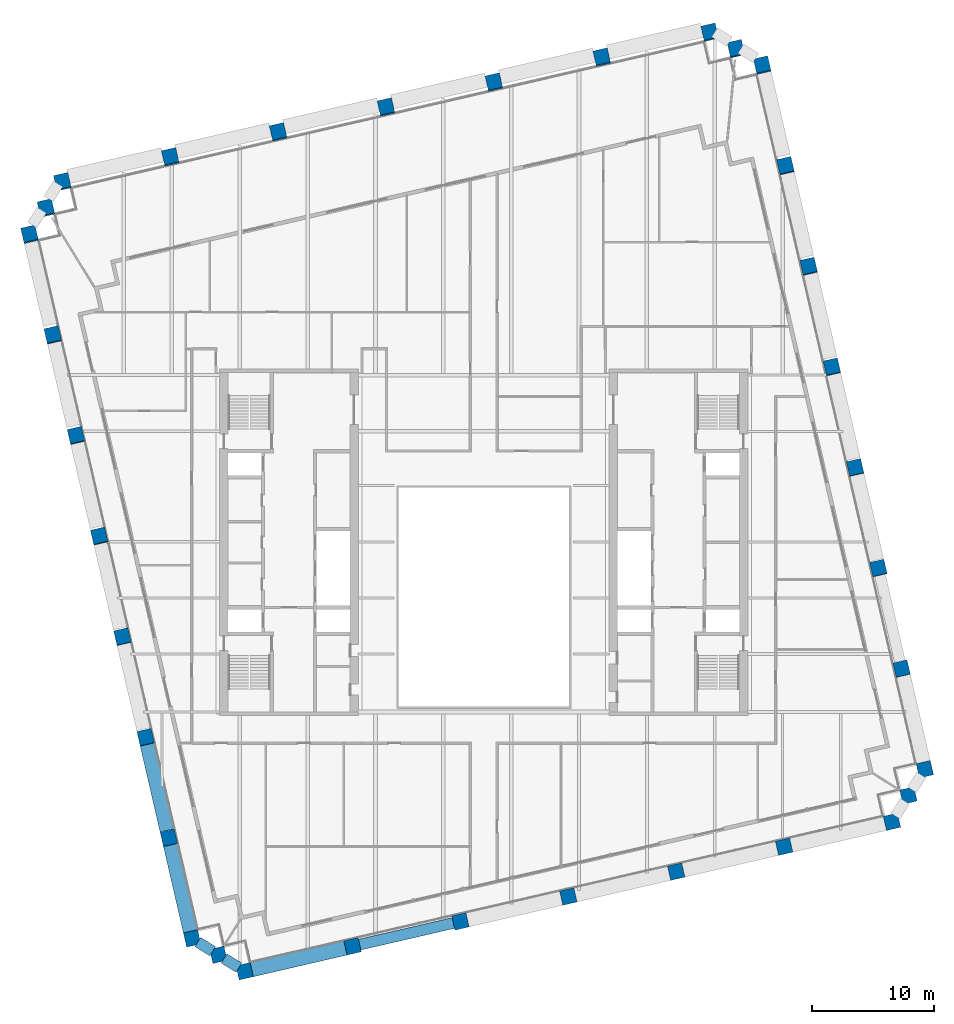
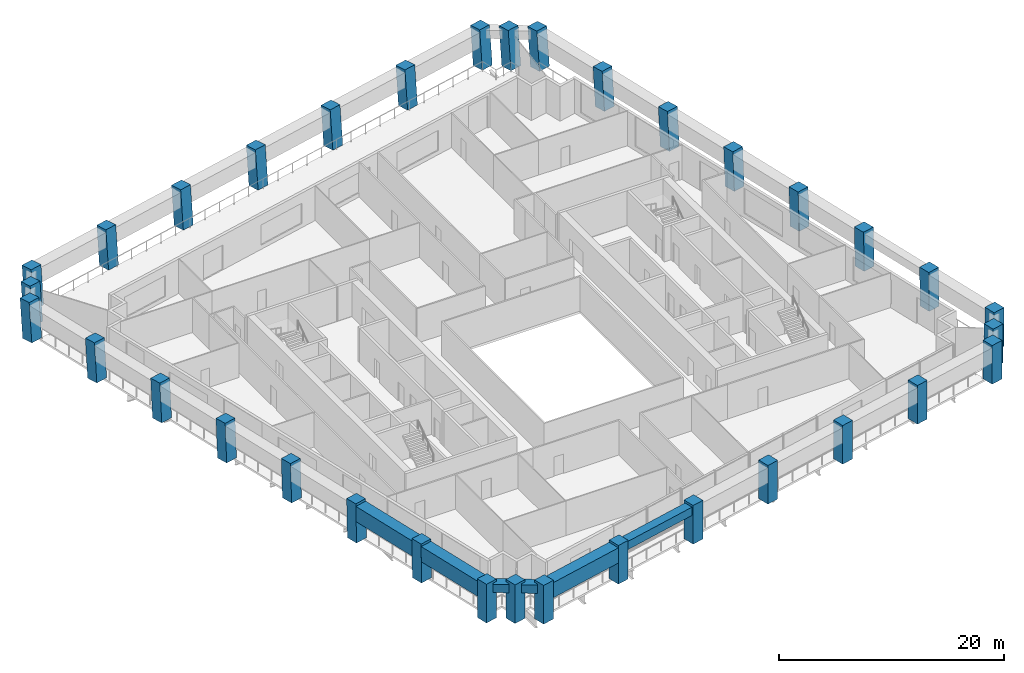
# One storey, part 1 of 14: 34 columns, 6 beams.
"""IFC4 building model written with IfcOpenShell, lengths in metres."""

from ifc_helpers import new_model, si_unit, direction, frame, origin, origin_2d, place, context, subcontext, project, spatial, rectangle, extrude, material, material_profile, profile_set, type_object, element, save


model = new_model("IFC4")

# Units and contexts
model_context = context("Model", 3, precision=1e-05, world=origin(), true_north=direction((0.0, 1.0)))
body_context = subcontext(model_context, "Body", "Model", "MODEL_VIEW")
ifc_project = project(units=[si_unit("LENGTHUNIT", "METRE"), si_unit("AREAUNIT", "SQUARE_METRE"), si_unit("VOLUMEUNIT", "CUBIC_METRE"), si_unit("PLANEANGLEUNIT", "RADIAN"), si_unit("MASSUNIT", "GRAM", prefix="KILO")], contexts=[model_context])

# Site, building, storey
site_placement = place(None, origin())
site = spatial("IfcSite", under=ifc_project, at=site_placement, CompositionType="ELEMENT")
building_placement = place(site_placement, origin())
building = spatial("IfcBuilding", under=site, at=building_placement, Name="Ogive Exchange Tower", CompositionType="ELEMENT")
storey_placement = place(building_placement, frame((0.0, 0.0, 222.0)))
storey = spatial("IfcBuildingStorey", under=building, at=storey_placement, Name="L49", CompositionType="ELEMENT", Elevation=222.0)

# Columns
ifc_material = material(Name="Precast concrete C70/85 (limestone faced)", Category="masonry")
ifc_material_profile_1 = material_profile(ifc_material, rectangle(XDim=1.199951171875, YDim=1.199951171875, at=origin_2d()), Name="1200 x 1200")
ifc_profile_set_1 = profile_set([ifc_material_profile_1], Name="Precast concrete C70/85 (limestone faced)")
column_type = type_object("IfcColumnType", Name="Precast exoskeleton leg 1200 x 1200 C70/85", PredefinedType="COLUMN", material=ifc_profile_set_1)
for number, where, z_axis, x_axis, name in (
    (1, (-19.6494140625, -23.749267578125, 0.0), (0.0, 0.0, 1.0), (0.974370064785, 0.224951054344, 0.0), "Exoskeleton leg 1"),
    (2, (-10.782470703125, -21.7021484375, 0.0), (0.0, 0.0, 1.0), (0.974370064785, 0.224951054344, 0.0), "Exoskeleton leg 2"),
    (3, (-1.915771484375, -19.655029296875, 0.0), (0.0, 0.0, 1.0), (0.974370064785, 0.224951054344, 0.0), "Exoskeleton leg 3"),
    (4, (6.950927734375, -17.60791015625, 0.0), (0.0, 0.0, 1.0), (0.974370064785, 0.224951054344, 0.0), "Exoskeleton leg 4"),
    (5, (15.81787109375, -15.56103515625, 0.0), (0.0, 0.0, 1.0), (0.974370064785, 0.224951054344, 0.0), "Exoskeleton leg 5"),
    (6, (24.6845703125, -13.513916015625, 0.0), (0.0, 0.0, 1.0), (0.974370064785, 0.224951054344, 0.0), "Exoskeleton leg 6"),
    (7, (33.55126953125, -11.466796875, 0.0), (0.0, 0.0, 1.0), (0.974370064785, 0.224951054344, 0.0), "Exoskeleton leg 7"),
    (8, (36.249267578125, -7.1494140625, 0.0), (0.0, 0.0, 1.0), (0.974370064785, 0.224951054344, 0.0), "Exoskeleton leg 8"),
):
    element("IfcColumn", number, at=place(storey_placement, frame(where, z_axis=z_axis, x_axis=x_axis)), inside=storey, type_object=column_type, Name=name, PredefinedType="COLUMN", context=body_context, shape_type="SweptSolid", body=[
        extrude(rectangle(XDim=1.199951171875, YDim=1.199951171875, at=origin_2d()), origin(), (0.0, 0.0, 1.0), 4.199951171875),
    ])
column_1_placement = place(storey_placement, frame((34.34228515625, 1.110595703125, 0.0), z_axis=(-0.002731884952, 0.01168316756, 0.999928017609), x_axis=(-0.973733900744, -0.227689021567, 0.0)))
element("IfcColumn", 9, at=column_1_placement, inside=storey, type_object=column_type, Name="Exoskeleton leg 9", PredefinedType="COLUMN", context=body_context, shape_type="SweptSolid", body=[
    extrude(rectangle(XDim=1.199951171875, YDim=1.199951171875, at=origin_2d()), origin(), (0.0, 0.0, 1.0), 4.2001953125),
])
column_2_placement = place(storey_placement, frame((32.435302734375, 9.370361328125, 0.0), z_axis=(-0.005404479485, 0.023361298418, 0.999712479335), x_axis=(-0.974268511785, -0.225390476607, 0.0)))
element("IfcColumn", 10, at=column_2_placement, inside=storey, type_object=column_type, Name="Exoskeleton leg 10", PredefinedType="COLUMN", context=body_context, shape_type="SweptSolid", body=[
    extrude(rectangle(XDim=1.199951171875, YDim=1.199951171875, at=origin_2d()), origin(), (0.0, 0.0, 1.0), 4.201171875),
])
column_3_placement = place(storey_placement, frame((30.5283203125, 17.630126953125, 0.0), z_axis=(-0.0080747472, 0.035087390713, 0.999351626541), x_axis=(-0.974526982896, -0.224270282488, 0.0)))
element("IfcColumn", 11, at=column_3_placement, inside=storey, type_object=column_type, Name="Exoskeleton leg 11", PredefinedType="COLUMN", context=body_context, shape_type="SweptSolid", body=[
    extrude(rectangle(XDim=1.199951171875, YDim=1.199951171875, at=origin_2d()), origin(), (0.0, 0.0, 1.0), 4.20263671875),
])
column_4_placement = place(storey_placement, frame((28.62158203125, 25.889892578125, 0.0), z_axis=(-0.010799619665, 0.046740289408, 0.998848694028), x_axis=(-0.974329962248, -0.225124686929, 0.0)))
element("IfcColumn", 12, at=column_4_placement, inside=storey, type_object=column_type, Name="Exoskeleton leg 12", PredefinedType="COLUMN", context=body_context, shape_type="SweptSolid", body=[
    extrude(rectangle(XDim=1.199951171875, YDim=1.199951171875, at=origin_2d()), origin(), (0.0, 0.0, 1.0), 4.204833984375),
])
column_5_placement = place(storey_placement, frame((26.714599609375, 34.149658203125, 0.0), z_axis=(-0.013461799865, 0.058373149415, 0.998204064995), x_axis=(-0.974423835271, -0.224718021653, 0.0)))
element("IfcColumn", 13, at=column_5_placement, inside=storey, type_object=column_type, Name="Exoskeleton leg 13", PredefinedType="COLUMN", context=body_context, shape_type="SweptSolid", body=[
    extrude(rectangle(XDim=1.199951171875, YDim=1.199951171875, at=origin_2d()), origin(), (0.0, 0.0, 1.0), 4.20751953125),
])
column_6_placement = place(storey_placement, frame((24.8076171875, 42.409423828125, 0.0), z_axis=(-0.016176147103, 0.070038658424, 0.997413113304), x_axis=(-0.97435039746, -0.225036225904, 0.0)))
element("IfcColumn", 14, at=column_6_placement, inside=storey, type_object=column_type, Name="Exoskeleton leg 14", PredefinedType="COLUMN", context=body_context, shape_type="SweptSolid", body=[
    extrude(rectangle(XDim=1.199951171875, YDim=1.199951171875, at=origin_2d()), origin(), (0.0, 0.0, 1.0), 4.2109375),
])
for number, where, z_axis, x_axis, name in (
    (15, (22.900634765625, 50.669189453125, 0.0), (-0.018825666958, 0.081616506903, 0.99648599592), (-0.974414501624, -0.224758490439, 0.0), "Exoskeleton leg 15"),
    (16, (18.583251953125, 53.3671875, 0.0), (-0.018825666958, 0.081616506903, 0.99648599592), (-0.974414501624, -0.224758490439, 0.0), "Exoskeleton leg 16"),
    (17, (9.71630859375, 51.3203125, 0.0), (-0.018825755928, 0.08155896722, 0.996490705315), (-0.974379530941, -0.22491004798, 0.0), "Exoskeleton leg 17"),
    (18, (0.849609375, 49.273193359375, 0.0), (-0.018825755928, 0.08155896722, 0.996490705315), (-0.974379530941, -0.22491004798, 0.0), "Exoskeleton leg 18"),
    (19, (-8.01708984375, 47.22607421875, 0.0), (-0.018825666958, 0.081616506903, 0.99648599592), (-0.974414501624, -0.224758490439, 0.0), "Exoskeleton leg 19"),
    (20, (-16.8837890625, 45.178955078125, 0.0), (-0.018883571463, 0.081616417765, 0.996484907603), (-0.974262845894, -0.225414966474, 0.0), "Exoskeleton leg 20"),
    (21, (-25.750732421875, 43.1318359375, 0.0), (-0.018825666958, 0.081616506903, 0.99648599592), (-0.974414501624, -0.224758490439, 0.0), "Exoskeleton leg 21"),
    (22, (-34.617431640625, 41.0849609375, 0.0), (-0.018825755928, 0.08155896722, 0.996490705315), (-0.974379530941, -0.22491004798, 0.0), "Exoskeleton leg 22"),
    (23, (-37.3154296875, 36.767333984375, 0.0), (-0.018825755928, 0.08155896722, 0.996490705315), (-0.974379530941, -0.22491004798, 0.0), "Exoskeleton leg 23"),
):
    element("IfcColumn", number, at=place(storey_placement, frame(where, z_axis=z_axis, x_axis=x_axis)), inside=storey, type_object=column_type, Name=name, PredefinedType="COLUMN", context=body_context, shape_type="SweptSolid", body=[
        extrude(rectangle(XDim=1.199951171875, YDim=1.199951171875, at=origin_2d()), origin(), (0.0, 0.0, 1.0), 4.21484375),
    ])
column_7_placement = place(storey_placement, frame((-35.408447265625, 28.507568359375, 0.0), z_axis=(-0.016176212764, 0.069980963462, 0.99741716192), x_axis=(-0.974309502923, -0.225213215672, 0.0)))
element("IfcColumn", 24, at=column_7_placement, inside=storey, type_object=column_type, Name="Exoskeleton leg 24", PredefinedType="COLUMN", context=body_context, shape_type="SweptSolid", body=[
    extrude(rectangle(XDim=1.199951171875, YDim=1.199951171875, at=origin_2d()), origin(), (0.0, 0.0, 1.0), 4.2109375),
])
column_8_placement = place(storey_placement, frame((-33.50146484375, 20.247802734375, 0.0), z_axis=(-0.013461799865, 0.058373149415, 0.998204064995), x_axis=(-0.974423835271, -0.224718021653, 0.0)))
element("IfcColumn", 25, at=column_8_placement, inside=storey, type_object=column_type, Name="Exoskeleton leg 25", PredefinedType="COLUMN", context=body_context, shape_type="SweptSolid", body=[
    extrude(rectangle(XDim=1.199951171875, YDim=1.199951171875, at=origin_2d()), origin(), (0.0, 0.0, 1.0), 4.20751953125),
])
column_9_placement = place(storey_placement, frame((-31.594482421875, 11.98779296875, 0.0), z_axis=(-0.010799619665, 0.046740289408, 0.998848694028), x_axis=(-0.974329962248, -0.225124686929, 0.0)))
element("IfcColumn", 26, at=column_9_placement, inside=storey, type_object=column_type, Name="Exoskeleton leg 26", PredefinedType="COLUMN", context=body_context, shape_type="SweptSolid", body=[
    extrude(rectangle(XDim=1.199951171875, YDim=1.199951171875, at=origin_2d()), origin(), (0.0, 0.0, 1.0), 4.204833984375),
])
column_10_placement = place(storey_placement, frame((-29.6875, 3.72802734375, 0.0), z_axis=(-0.008132835078, 0.035087374195, 0.999351156084), x_axis=(-0.97417327444, -0.225801752354, 0.0)))
element("IfcColumn", 27, at=column_10_placement, inside=storey, type_object=column_type, Name="Exoskeleton leg 27", PredefinedType="COLUMN", context=body_context, shape_type="SweptSolid", body=[
    extrude(rectangle(XDim=1.199951171875, YDim=1.199951171875, at=origin_2d()), origin(), (0.0, 0.0, 1.0), 4.20263671875),
])
column_11_placement = place(storey_placement, frame((-27.78076171875, -4.53173828125, 0.0), z_axis=(-0.005404472139, 0.023419379268, 0.999711120452), x_axis=(-0.974391195695, -0.224859506699, 0.0)))
element("IfcColumn", 28, at=column_11_placement, inside=storey, type_object=column_type, Name="Exoskeleton leg 28", PredefinedType="COLUMN", context=body_context, shape_type="SweptSolid", body=[
    extrude(rectangle(XDim=1.199951171875, YDim=1.199951171875, at=origin_2d()), origin(), (0.0, 0.0, 1.0), 4.201171875),
])
column_12_placement = place(storey_placement, frame((-25.873779296875, -12.79150390625, 0.0), z_axis=(-0.00267376016, 0.011683169396, 0.9999281747), x_axis=(-0.974798272484, -0.223088161862, 0.0)))
element("IfcColumn", 29, at=column_12_placement, inside=storey, type_object=column_type, Name="Exoskeleton leg 29", PredefinedType="COLUMN", context=body_context, shape_type="SweptSolid", body=[
    extrude(rectangle(XDim=1.199951171875, YDim=1.199951171875, at=origin_2d()), origin(), (0.0, 0.0, 1.0), 4.2001953125),
])
for number, where, z_axis, x_axis, name in (
    (30, (-23.966796875, -21.05126953125, 0.0), (0.0, 0.0, 1.0), (0.974370064785, 0.224951054344, 0.0), "Exoskeleton leg 30"),
    (31, (34.900146484375, -9.30810546875, 0.0), (0.0, 0.0, 1.0), (0.974370064785, 0.224951054344, 0.0), "Exoskeleton leg 31"),
):
    element("IfcColumn", number, at=place(storey_placement, frame(where, z_axis=z_axis, x_axis=x_axis)), inside=storey, type_object=column_type, Name=name, PredefinedType="COLUMN", context=body_context, shape_type="SweptSolid", body=[
        extrude(rectangle(XDim=1.199951171875, YDim=1.199951171875, at=origin_2d()), origin(), (0.0, 0.0, 1.0), 4.199951171875),
    ])
for number, where, z_axis, x_axis, name in (
    (32, (20.741943359375, 52.018310546875, 0.0), (-0.018825666958, 0.081616506903, 0.99648599592), (-0.974414501624, -0.224758490439, 0.0), "Exoskeleton leg 32"),
    (33, (-35.96630859375, 38.926025390625, 0.0), (-0.018883571463, 0.081616417765, 0.996484907603), (-0.974262845894, -0.225414966474, 0.0), "Exoskeleton leg 33"),
):
    element("IfcColumn", number, at=place(storey_placement, frame(where, z_axis=z_axis, x_axis=x_axis)), inside=storey, type_object=column_type, Name=name, PredefinedType="COLUMN", context=body_context, shape_type="SweptSolid", body=[
        extrude(rectangle(XDim=1.199951171875, YDim=1.199951171875, at=origin_2d()), origin(), (0.0, 0.0, 1.0), 4.21484375),
    ])
column_13_placement = place(storey_placement, frame((-21.80810546875, -22.400146484375, 0.0), z_axis=(0.0, 0.0, 1.0), x_axis=(0.974370064785, 0.224951054344, 0.0)))
element("IfcColumn", 34, at=column_13_placement, inside=storey, type_object=column_type, Name="Exoskeleton leg 34", PredefinedType="COLUMN", context=body_context, shape_type="SweptSolid", body=[
    extrude(rectangle(XDim=1.199951171875, YDim=1.199951171875, at=origin_2d()), origin(), (0.0, 0.0, 1.0), 4.199951171875),
])

# Beams
ifc_material_profile_2 = material_profile(ifc_material, rectangle(XDim=1.199951171875, YDim=1.64990234375, at=origin_2d()), Name="1200 x 1650")
ifc_profile_set_2 = profile_set([ifc_material_profile_2], Name="Precast concrete C70/85 (limestone faced)")
beam_type_1 = type_object("IfcBeamType", Name="Precast portal sill beam 1200 x 1650 C70/85", PredefinedType="BEAM", material=ifc_profile_set_2)
beam_1_placement = place(storey_placement, frame((-19.084228515625, -23.61865234375, 3.125), z_axis=(0.974369944206, 0.224951576629, 0.0), x_axis=(-0.224951576629, 0.974369944206, 0.0)))
element("IfcBeam", 35, at=beam_1_placement, inside=storey, type_object=beam_type_1, Name="Slot sill beam 1", PredefinedType="BEAM", context=body_context, shape_type="SweptSolid", body=[
    extrude(rectangle(XDim=1.199951171875, YDim=1.64990234375, at=origin_2d()), origin(), (0.0, 0.0, 1.0), 7.940185546875),
])
beam_2_placement = place(storey_placement, frame((-27.6728515625, -4.99853515625, 3.125), z_axis=(0.224936950795, -0.974373320739, 0.0), x_axis=(0.974373320739, 0.224936950795, 0.0)))
element("IfcBeam", 36, at=beam_2_placement, inside=storey, type_object=beam_type_1, Name="Slot sill beam 31", PredefinedType="BEAM", context=body_context, shape_type="SweptSolid", body=[
    extrude(rectangle(XDim=1.199951171875, YDim=1.64990234375, at=origin_2d()), origin(), (0.0, 0.0, 1.0), 7.367431640625),
])
beam_3_placement = place(storey_placement, frame((-25.754638671875, -13.3076171875, 3.125), z_axis=(0.224944213841, -0.974371644014, 0.0), x_axis=(0.974371644014, 0.224944213841, 0.0)))
element("IfcBeam", 37, at=beam_3_placement, inside=storey, type_object=beam_type_1, Name="Slot sill beam 32", PredefinedType="BEAM", context=body_context, shape_type="SweptSolid", body=[
    extrude(rectangle(XDim=1.199951171875, YDim=1.64990234375, at=origin_2d()), origin(), (0.0, 0.0, 1.0), 7.3671875),
])
ifc_material_profile_3 = material_profile(ifc_material, rectangle(XDim=0.89990234375, YDim=0.89990234375, at=origin_2d()), Name="900 x 900")
ifc_profile_set_3 = profile_set([ifc_material_profile_3], Name="Precast concrete C70/85 (limestone faced)")
beam_type_2 = type_object("IfcBeamType", Name="Precast spandrel 900 x 900 C70/85", PredefinedType="SPANDREL", material=ifc_profile_set_3)
beam_4_placement = place(storey_placement, frame((-10.21728515625, -21.57177734375, 3.5), z_axis=(0.974368388194, 0.224958316335, 0.0), x_axis=(-0.224958316335, 0.974368388194, 0.0)))
element("IfcBeam", 38, at=beam_4_placement, inside=storey, type_object=beam_type_2, Name="Spandrel 2", PredefinedType="SPANDREL", context=body_context, shape_type="SweptSolid", body=[
    extrude(rectangle(XDim=0.89990234375, YDim=0.89990234375, at=origin_2d()), origin(), (0.0, 0.0, 1.0), 7.93994140625),
])
for number, where, z_axis, x_axis, name in (
    (39, (-23.501708984375, -21.342041015625, 3.5), (0.848074041941, -0.529877740036, 0.0), (0.529877740036, 0.848074041941, 0.0), "Spandrel 33"),
    (40, (-21.343017578125, -22.69091796875, 3.5), (0.848074041941, -0.529877740036, 0.0), (0.529877740036, 0.848074041941, 0.0), "Spandrel 34"),
):
    element("IfcBeam", number, at=place(storey_placement, frame(where, z_axis=z_axis, x_axis=x_axis)), inside=storey, type_object=beam_type_2, Name=name, PredefinedType="SPANDREL", context=body_context, shape_type="SweptSolid", body=[
        extrude(rectangle(XDim=0.89990234375, YDim=0.89990234375, at=origin_2d()), origin(), (0.0, 0.0, 1.0), 1.448486328125),
    ])

save(model, "model.ifc")
